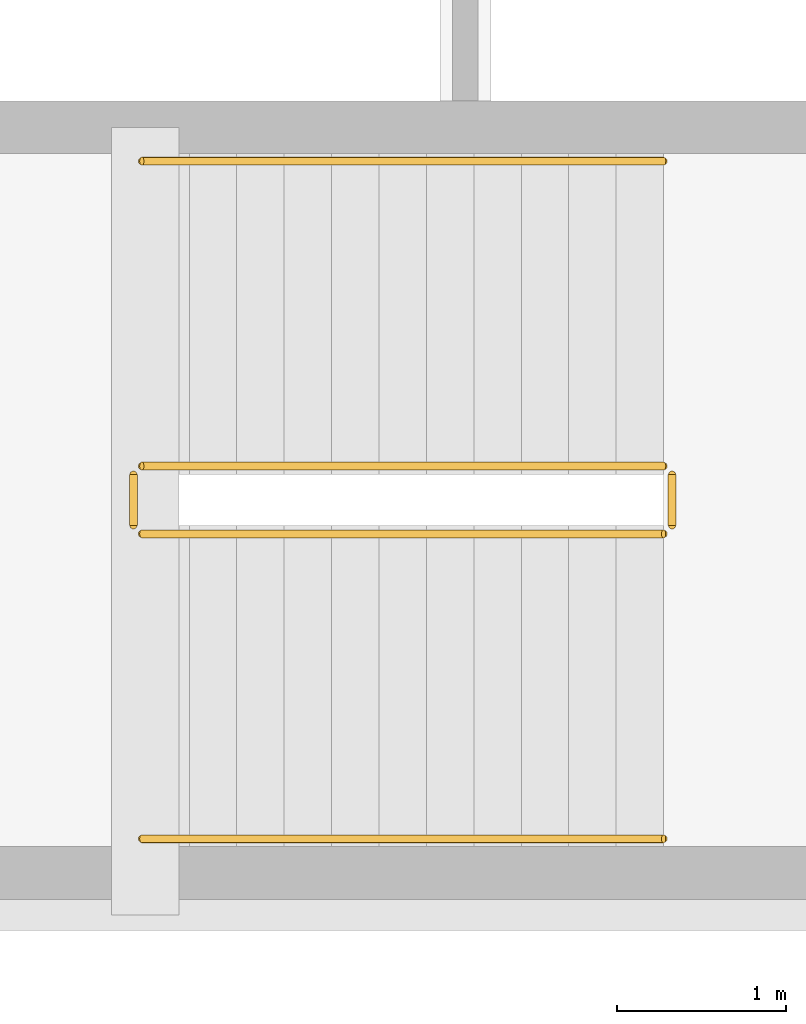
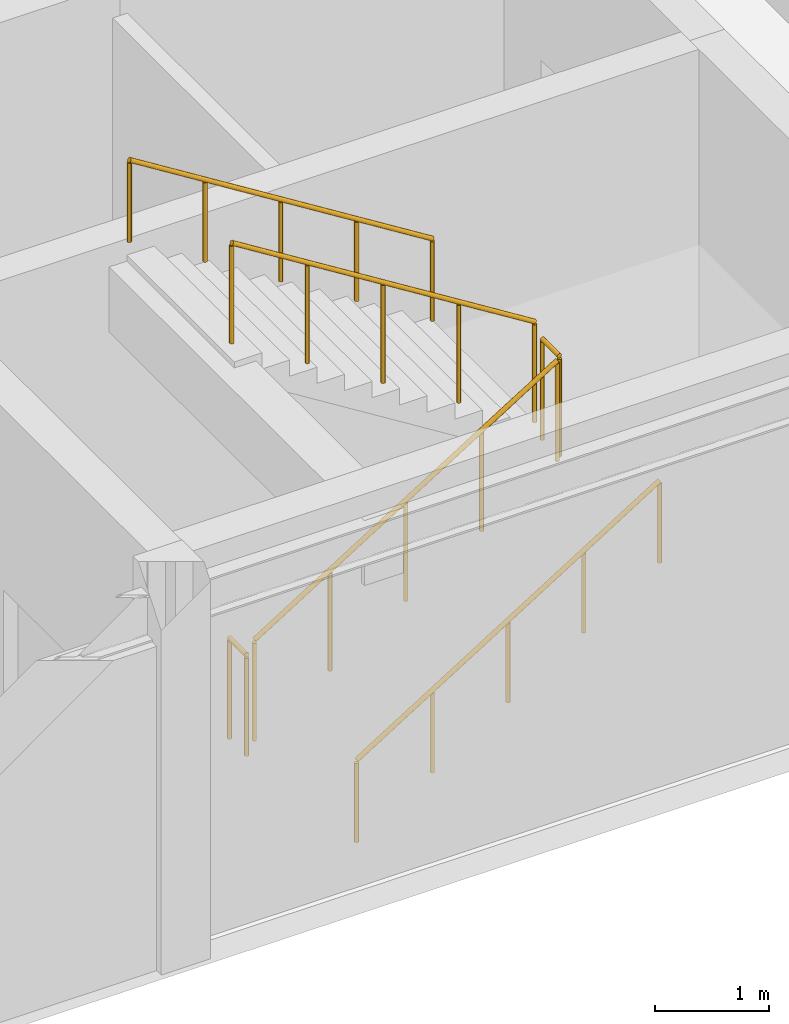
# One storey, part 24 of 26: 6 railings.
"""IFC4 building model written with IfcOpenShell, lengths in metres."""

from ifc_helpers import new_model, si_unit, direction, frame, origin, origin_2d, place, context, subcontext, project, spatial, circle, extrude, material, type_object, element, save


model = new_model("IFC4")

# Units and contexts
model_context = context("Model", 3, precision=1e-05, world=origin(), true_north=direction((0.0, 1.0)))
body_context = subcontext(model_context, "Body", "Model", "MODEL_VIEW")
ifc_project = project(units=[si_unit("LENGTHUNIT", "METRE"), si_unit("AREAUNIT", "SQUARE_METRE"), si_unit("VOLUMEUNIT", "CUBIC_METRE"), si_unit("PLANEANGLEUNIT", "RADIAN"), si_unit("MASSUNIT", "GRAM", prefix="KILO")], contexts=[model_context])

# Site, building, storey
site_placement = place(None, origin())
site = spatial("IfcSite", under=ifc_project, at=site_placement, CompositionType="ELEMENT")
building_placement = place(site_placement, origin())
building = spatial("IfcBuilding", under=site, at=building_placement, Name="Parian Resonance Hall", CompositionType="ELEMENT")
storey_placement = place(building_placement, frame((0.0, 0.0, 19.199951171875)))
storey = spatial("IfcBuildingStorey", under=building, at=storey_placement, Name="L04", CompositionType="ELEMENT", Elevation=19.199951171875)

# Railings
ifc_material_1 = material(Name="Patinated bronze whiplash metalwork")
railing_type_1 = type_object("IfcRailingType", Name="RAIL-STAIR-GRD-1100", PredefinedType="GUARDRAIL", material=ifc_material_1)
railing_1_placement = place(storey_placement, frame((123.639892578125, 50.85009765625, 0.175048828125)))
element("IfcRailing", 1, at=railing_1_placement, inside=storey, type_object=railing_type_1, Name="L04 ST-02 stair guard 1", PredefinedType="GUARDRAIL", context=body_context, shape_type="SweptSolid", body=[
    extrude(circle(Radius=0.02392578125, at=origin_2d()), frame((0.0, 0.0, 1.076171875), z_axis=(0.847998304005, 0.0, 0.529998940003), x_axis=(0.0, 1.0, 0.0)), (0.0, 0.0, 1.0), 3.632080078125),
    extrude(circle(Radius=0.02099609375, at=origin_2d()), origin(), (0.0, 0.0, 1.0), 1.052001953125),
    extrude(circle(Radius=0.02099609375, at=origin_2d()), frame((0.77001953125, 0.0, 0.481201171875)), (0.0, 0.0, 1.0), 1.052001953125),
    extrude(circle(Radius=0.02099609375, at=origin_2d()), frame((1.5400390625, 0.0, 0.96240234375)), (0.0, 0.0, 1.0), 1.052001953125),
    extrude(circle(Radius=0.02099609375, at=origin_2d()), frame((2.31005859375, 0.0, 1.44384765625)), (0.0, 0.0, 1.0), 1.052001953125),
    extrude(circle(Radius=0.02099609375, at=origin_2d()), frame((3.080078125, 0.0, 1.925048828125)), (0.0, 0.0, 1.0), 1.052001953125),
])
railing_2_placement = place(storey_placement, frame((126.77001953125, 50.89990234375, 2.10009765625)))
element("IfcRailing", 2, at=railing_2_placement, inside=storey, type_object=railing_type_1, Name="L04 ST-02 stair guard 2", PredefinedType="GUARDRAIL", context=body_context, shape_type="SweptSolid", body=[
    extrude(circle(Radius=0.02392578125, at=origin_2d()), frame((0.0, 0.0, 1.076171875), z_axis=(0.0, 1.0, 0.0), x_axis=(-1.0, 0.0, 0.0)), (0.0, 0.0, 1.0), 0.300048828125),
    extrude(circle(Radius=0.02099609375, at=origin_2d()), origin(), (0.0, 0.0, 1.0), 1.052001953125),
    extrude(circle(Radius=0.02099609375, at=origin_2d()), frame((0.0, 0.300048828125, 0.0)), (0.0, 0.0, 1.0), 1.052001953125),
])
railing_3_placement = place(storey_placement, frame((126.719970703125, 51.25, 2.275146484375)))
element("IfcRailing", 3, at=railing_3_placement, inside=storey, type_object=railing_type_1, Name="L04 ST-02 stair guard 3", PredefinedType="GUARDRAIL", context=body_context, shape_type="SweptSolid", body=[
    extrude(circle(Radius=0.02392578125, at=origin_2d()), frame((0.0, 0.0, 1.076171875), z_axis=(-0.848028513186, 0.0, 0.529950602248), x_axis=(0.0, -1.0, 0.0)), (0.0, 0.0, 1.0), 3.632080078125),
    extrude(circle(Radius=0.02099609375, at=origin_2d()), origin(), (0.0, 0.0, 1.0), 1.052001953125),
    extrude(circle(Radius=0.02099609375, at=origin_2d()), frame((-0.77001953125, 0.0, 0.481201171875)), (0.0, 0.0, 1.0), 1.052001953125),
    extrude(circle(Radius=0.02099609375, at=origin_2d()), frame((-1.5400390625, 0.0, 0.96240234375)), (0.0, 0.0, 1.0), 1.052001953125),
    extrude(circle(Radius=0.02099609375, at=origin_2d()), frame((-2.31005859375, 0.0, 1.443603515625)), (0.0, 0.0, 1.0), 1.052001953125),
    extrude(circle(Radius=0.02099609375, at=origin_2d()), frame((-3.080078125, 0.0, 1.9248046875)), (0.0, 0.0, 1.0), 1.052001953125),
])
railing_4_placement = place(storey_placement, frame((123.590087890625, 50.89990234375, 0.0)))
element("IfcRailing", 4, at=railing_4_placement, inside=storey, type_object=railing_type_1, Name="L04 ST-02 stair guard 4", PredefinedType="GUARDRAIL", context=body_context, shape_type="SweptSolid", body=[
    extrude(circle(Radius=0.02392578125, at=origin_2d()), frame((0.0, 0.0, 1.076171875), z_axis=(0.0, 1.0, 0.0), x_axis=(-1.0, 0.0, 0.0)), (0.0, 0.0, 1.0), 0.300048828125),
    extrude(circle(Radius=0.02099609375, at=origin_2d()), origin(), (0.0, 0.0, 1.0), 1.052001953125),
    extrude(circle(Radius=0.02099609375, at=origin_2d()), frame((0.0, 0.300048828125, 0.0)), (0.0, 0.0, 1.0), 1.052001953125),
])
ifc_material_2 = material(Name="Patinated bronze whiplash metalwork")
railing_type_2 = type_object("IfcRailingType", Name="RAIL-STAIR-HR-900", PredefinedType="HANDRAIL", material=ifc_material_2)
railing_5_placement = place(storey_placement, frame((123.639892578125, 49.050048828125, 0.175048828125)))
element("IfcRailing", 5, at=railing_5_placement, inside=storey, type_object=railing_type_2, Name="L04 ST-02 stair handrail 1", PredefinedType="HANDRAIL", context=body_context, shape_type="SweptSolid", body=[
    extrude(circle(Radius=0.02392578125, at=origin_2d()), frame((0.0, 0.0, 0.8759765625), z_axis=(0.847998304005, 0.0, 0.529998940003), x_axis=(0.0, 1.0, 0.0)), (0.0, 0.0, 1.0), 3.632080078125),
    extrude(circle(Radius=0.02099609375, at=origin_2d()), origin(), (0.0, 0.0, 1.0), 0.851806640625),
    extrude(circle(Radius=0.02099609375, at=origin_2d()), frame((0.77001953125, 0.0, 0.481201171875)), (0.0, 0.0, 1.0), 0.851806640625),
    extrude(circle(Radius=0.02099609375, at=origin_2d()), frame((1.5400390625, 0.0, 0.96240234375)), (0.0, 0.0, 1.0), 0.851806640625),
    extrude(circle(Radius=0.02099609375, at=origin_2d()), frame((2.31005859375, 0.0, 1.44384765625)), (0.0, 0.0, 1.0), 0.851806640625),
    extrude(circle(Radius=0.02099609375, at=origin_2d()), frame((3.080078125, 0.0, 1.925048828125)), (0.0, 0.0, 1.0), 0.851806640625),
])
railing_6_placement = place(storey_placement, frame((126.719970703125, 53.050048828125, 2.275146484375)))
element("IfcRailing", 6, at=railing_6_placement, inside=storey, type_object=railing_type_2, Name="L04 ST-02 stair handrail 2", PredefinedType="HANDRAIL", context=body_context, shape_type="SweptSolid", body=[
    extrude(circle(Radius=0.02392578125, at=origin_2d()), frame((0.0, 0.0, 0.8759765625), z_axis=(-0.848028513186, 0.0, 0.529950602248), x_axis=(0.0, -1.0, 0.0)), (0.0, 0.0, 1.0), 3.632080078125),
    extrude(circle(Radius=0.02099609375, at=origin_2d()), origin(), (0.0, 0.0, 1.0), 0.851806640625),
    extrude(circle(Radius=0.02099609375, at=origin_2d()), frame((-0.77001953125, 0.0, 0.481201171875)), (0.0, 0.0, 1.0), 0.851806640625),
    extrude(circle(Radius=0.02099609375, at=origin_2d()), frame((-1.5400390625, 0.0, 0.96240234375)), (0.0, 0.0, 1.0), 0.851806640625),
    extrude(circle(Radius=0.02099609375, at=origin_2d()), frame((-2.31005859375, 0.0, 1.443603515625)), (0.0, 0.0, 1.0), 0.851806640625),
    extrude(circle(Radius=0.02099609375, at=origin_2d()), frame((-3.080078125, 0.0, 1.9248046875)), (0.0, 0.0, 1.0), 0.851806640625),
])

save(model, "model.ifc")
